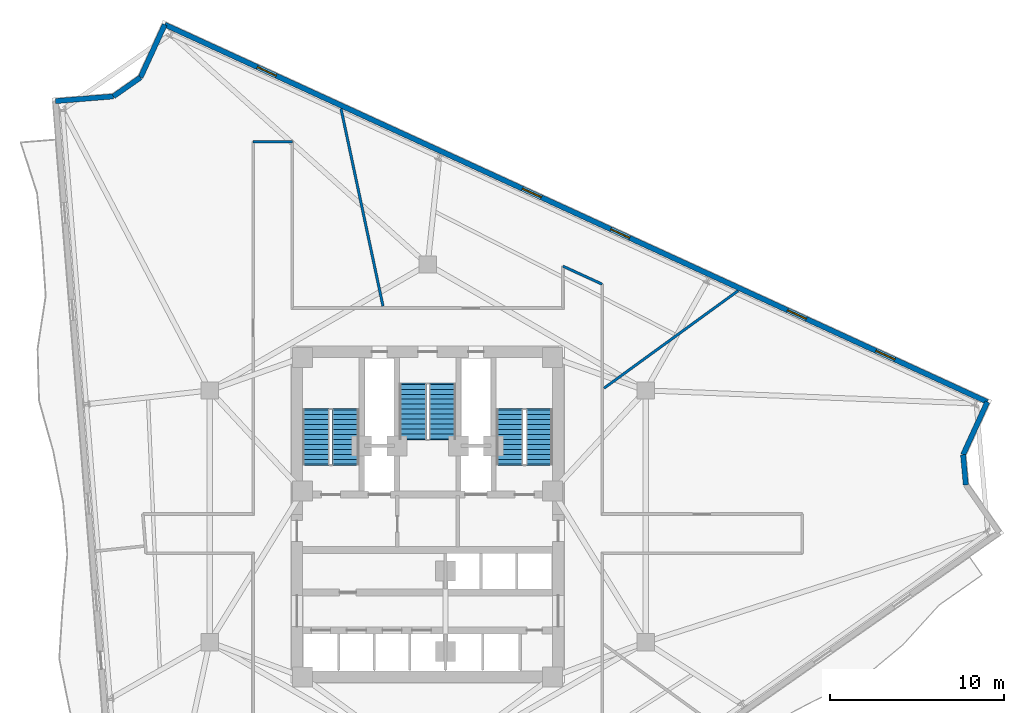
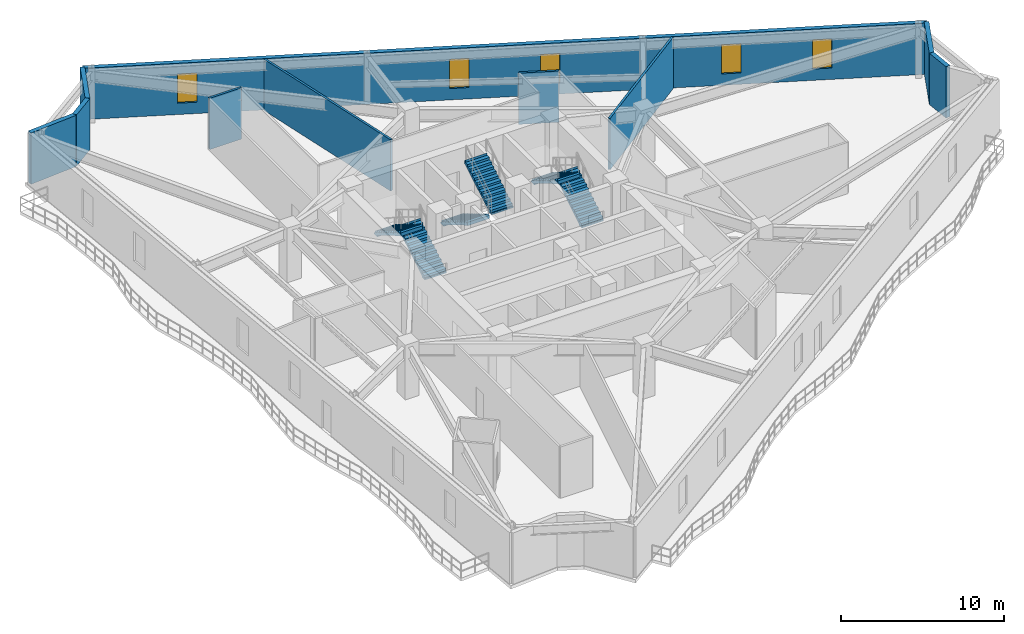
# One storey, part 7 of 10: 10 walls, 6 stair flights, 5 windows, 5 openings, 3 elements without a shape of their own.
"""IFC4 building model written with IfcOpenShell, lengths in metres."""

from ifc_helpers import new_model, si_unit, direction, frame, frame_2d, origin, place, context, subcontext, project, spatial, polyline, rectangle, outline, extrude, material, layer, layer_set, type_object, element, fill, aggregate, save


model = new_model("IFC4")

# Units and contexts
model_context = context("Model", 3, precision=1e-05, world=origin(), true_north=direction((0.0, 1.0)))
body_context = subcontext(model_context, "Body", "Model", "MODEL_VIEW")
ifc_project = project(units=[si_unit("LENGTHUNIT", "METRE"), si_unit("AREAUNIT", "SQUARE_METRE"), si_unit("VOLUMEUNIT", "CUBIC_METRE"), si_unit("PLANEANGLEUNIT", "RADIAN"), si_unit("MASSUNIT", "GRAM", prefix="KILO")], contexts=[model_context])

# Site, building, storey
site_placement = place(None, origin())
site = spatial("IfcSite", under=ifc_project, at=site_placement, CompositionType="ELEMENT")
building_placement = place(site_placement, origin())
building = spatial("IfcBuilding", under=site, at=building_placement, Name="Apsidion Concourse Tower", CompositionType="ELEMENT")
storey_placement = place(building_placement, frame((0.0, 0.0, 218.800048828125)))
storey = spatial("IfcBuildingStorey", under=building, at=storey_placement, Name="L51", CompositionType="ELEMENT", Elevation=218.800048828125)

# Wall, openings, windows
ifc_material_1 = material(Name="Precast concrete C40/50", Category="concrete")
ifc_layer_1 = layer(ifc_material_1, 0.300048828125)
ifc_layer_set_1 = layer_set([ifc_layer_1], Name="Precast concrete C40/50")
wall_type_1 = type_object("IfcWallType", Name="WL-EXT-300", PredefinedType="STANDARD", material=ifc_layer_set_1)
wall_1_placement = place(storey_placement, frame((-15.1435546875, 28.32177734375, 0.0), z_axis=(0.0, 0.0, 1.0), x_axis=(0.908932099953, -0.416944166136, 0.0)))
wall_1 = element("IfcWall", 1, at=wall_1_placement, inside=storey, type_object=wall_type_1, Name="L51 Precast Stone Facade Wall 01", PredefinedType="STANDARD", context=body_context, shape_type="SweptSolid", body=[
    extrude(rectangle(XDim=52.127685546875, YDim=0.300048828125, at=frame_2d((26.06396484375, 0.0))), origin(), (0.0, 0.0, 1.0), 3.849853515625),
])
opening_1_placement = place(wall_1_placement, frame((5.864013671875, 0.0, 0.85009765625)))
opening_1 = element("IfcOpeningElement", 2, at=opening_1_placement, cuts=wall_1, Name="Opening WN-06", PredefinedType="OPENING", context=body_context, shape_type="SweptSolid", body=[
    extrude(rectangle(XDim=1.199951171875, YDim=2.199951171875, at=frame_2d((0.60009765625, 1.10009765625))), frame((0.0, 0.16015625, 0.0), z_axis=(0.0, -1.0, 0.0), x_axis=(1.0, 0.0, 0.0)), (0.0, 0.0, 1.0), 0.320068359375),
])
opening_2_placement = place(wall_1_placement, frame((22.663818359375, 0.0, 0.85009765625)))
opening_2 = element("IfcOpeningElement", 3, at=opening_2_placement, cuts=wall_1, Name="Opening WN-06", PredefinedType="OPENING", context=body_context, shape_type="SweptSolid", body=[
    extrude(rectangle(XDim=1.199951171875, YDim=2.199951171875, at=frame_2d((0.60009765625, 1.10009765625))), frame((0.0, 0.16015625, 0.0), z_axis=(0.0, -1.0, 0.0), x_axis=(1.0, 0.0, 0.0)), (0.0, 0.0, 1.0), 0.320068359375),
])
opening_3_placement = place(wall_1_placement, frame((28.263916015625, 0.0, 0.85009765625)))
opening_3 = element("IfcOpeningElement", 4, at=opening_3_placement, cuts=wall_1, Name="Opening WN-06", PredefinedType="OPENING", context=body_context, shape_type="SweptSolid", body=[
    extrude(rectangle(XDim=1.199951171875, YDim=2.199951171875, at=frame_2d((0.60009765625, 1.10009765625))), frame((0.0, 0.16015625, 0.0), z_axis=(0.0, -1.0, 0.0), x_axis=(1.0, 0.0, 0.0)), (0.0, 0.0, 1.0), 0.320068359375),
])
opening_4_placement = place(wall_1_placement, frame((39.4638671875, 0.0, 0.85009765625)))
opening_4 = element("IfcOpeningElement", 5, at=opening_4_placement, cuts=wall_1, Name="Opening WN-06", PredefinedType="OPENING", context=body_context, shape_type="SweptSolid", body=[
    extrude(rectangle(XDim=1.199951171875, YDim=2.199951171875, at=frame_2d((0.60009765625, 1.10009765625))), frame((0.0, 0.16015625, 0.0), z_axis=(0.0, -1.0, 0.0), x_axis=(1.0, 0.0, 0.0)), (0.0, 0.0, 1.0), 0.320068359375),
])
opening_5_placement = place(wall_1_placement, frame((45.06396484375, 0.0, 0.85009765625)))
opening_5 = element("IfcOpeningElement", 6, at=opening_5_placement, cuts=wall_1, Name="Opening WN-06", PredefinedType="OPENING", context=body_context, shape_type="SweptSolid", body=[
    extrude(rectangle(XDim=1.199951171875, YDim=2.199951171875, at=frame_2d((0.60009765625, 1.10009765625))), frame((0.0, 0.16015625, 0.0), z_axis=(0.0, -1.0, 0.0), x_axis=(1.0, 0.0, 0.0)), (0.0, 0.0, 1.0), 0.320068359375),
])
ifc_material_2 = material(Name="Insulated laminated low-E glass", Category="glass")
window_type = type_object("IfcWindowType", Name="WN-OFF-1224", PartitioningType="SINGLE_PANEL", PredefinedType="WINDOW", material=ifc_material_2)
window_1_placement = place(opening_1_placement, origin())
window_1 = element("IfcWindow", 7, at=window_1_placement, inside=storey, type_object=window_type, Name="L51 Punched Facade Window 1-01", OverallHeight=2.199951171875, OverallWidth=1.199951171875, PartitioningType="SINGLE_PANEL", PredefinedType="WINDOW", context=body_context, shape_type="SweptSolid", body=[
    extrude(rectangle(XDim=1.199951171875, YDim=2.199951171875, at=frame_2d((0.60009765625, 1.10009765625))), frame((0.0, 0.030029296875, 0.0), z_axis=(0.0, -1.0, 0.0), x_axis=(1.0, 0.0, 0.0)), (0.0, 0.0, 1.0), 0.06005859375),
])
fill(opening_1, window_1)
window_2_placement = place(opening_2_placement, origin())
window_2 = element("IfcWindow", 8, at=window_2_placement, inside=storey, type_object=window_type, Name="L51 Punched Facade Window 1-04", OverallHeight=2.199951171875, OverallWidth=1.199951171875, PartitioningType="SINGLE_PANEL", PredefinedType="WINDOW", context=body_context, shape_type="SweptSolid", body=[
    extrude(rectangle(XDim=1.199951171875, YDim=2.199951171875, at=frame_2d((0.60009765625, 1.10009765625))), frame((0.0, 0.030029296875, 0.0), z_axis=(0.0, -1.0, 0.0), x_axis=(1.0, 0.0, 0.0)), (0.0, 0.0, 1.0), 0.06005859375),
])
fill(opening_2, window_2)
window_3_placement = place(opening_3_placement, origin())
window_3 = element("IfcWindow", 9, at=window_3_placement, inside=storey, type_object=window_type, Name="L51 Punched Facade Window 1-05", OverallHeight=2.199951171875, OverallWidth=1.199951171875, PartitioningType="SINGLE_PANEL", PredefinedType="WINDOW", context=body_context, shape_type="SweptSolid", body=[
    extrude(rectangle(XDim=1.199951171875, YDim=2.199951171875, at=frame_2d((0.60009765625, 1.10009765625))), frame((0.0, 0.030029296875, 0.0), z_axis=(0.0, -1.0, 0.0), x_axis=(1.0, 0.0, 0.0)), (0.0, 0.0, 1.0), 0.06005859375),
])
fill(opening_3, window_3)
window_4_placement = place(opening_4_placement, origin())
window_4 = element("IfcWindow", 10, at=window_4_placement, inside=storey, type_object=window_type, Name="L51 Punched Facade Window 1-07", OverallHeight=2.199951171875, OverallWidth=1.199951171875, PartitioningType="SINGLE_PANEL", PredefinedType="WINDOW", context=body_context, shape_type="SweptSolid", body=[
    extrude(rectangle(XDim=1.199951171875, YDim=2.199951171875, at=frame_2d((0.60009765625, 1.10009765625))), frame((0.0, 0.030029296875, 0.0), z_axis=(0.0, -1.0, 0.0), x_axis=(1.0, 0.0, 0.0)), (0.0, 0.0, 1.0), 0.06005859375),
])
fill(opening_4, window_4)
window_5_placement = place(opening_5_placement, origin())
window_5 = element("IfcWindow", 11, at=window_5_placement, inside=storey, type_object=window_type, Name="L51 Punched Facade Window 1-08", OverallHeight=2.199951171875, OverallWidth=1.199951171875, PartitioningType="SINGLE_PANEL", PredefinedType="WINDOW", context=body_context, shape_type="SweptSolid", body=[
    extrude(rectangle(XDim=1.199951171875, YDim=2.199951171875, at=frame_2d((0.60009765625, 1.10009765625))), frame((0.0, 0.030029296875, 0.0), z_axis=(0.0, -1.0, 0.0), x_axis=(1.0, 0.0, 0.0)), (0.0, 0.0, 1.0), 0.06005859375),
])
fill(opening_5, window_5)

# Walls
wall_2_placement = place(storey_placement, frame((32.237060546875, 6.58740234375, 0.0), z_axis=(0.0, 0.0, 1.0), x_axis=(-0.416956203263, -0.908926578201, 0.0)))
element("IfcWall", 12, at=wall_2_placement, inside=storey, type_object=wall_type_1, Name="L51 Precast Stone Facade Wall 02", PredefinedType="STANDARD", context=body_context, shape_type="SweptSolid", body=[
    extrude(rectangle(XDim=3.345703125, YDim=0.300048828125, at=frame_2d((1.6728515625, 0.0))), origin(), (0.0, 0.0, 1.0), 3.849853515625),
])
wall_3_placement = place(storey_placement, frame((30.842041015625, 3.54638671875, 0.0), z_axis=(0.0, 0.0, 1.0), x_axis=(0.09030850916, -0.995913838228, 0.0)))
element("IfcWall", 13, at=wall_3_placement, inside=storey, type_object=wall_type_1, Name="L51 Precast Stone Facade Wall 03", PredefinedType="STANDARD", context=body_context, shape_type="SweptSolid", body=[
    extrude(rectangle(XDim=1.74365234375, YDim=0.300048828125, at=frame_2d((0.871826171875, 0.0))), origin(), (0.0, 0.0, 1.0), 3.849853515625),
])
wall_4_placement = place(storey_placement, frame((-21.4345703125, 23.9169921875, 0.0), z_axis=(0.0, 0.0, 1.0), x_axis=(0.99672253381, 0.080896171692, 0.0)))
element("IfcWall", 14, at=wall_4_placement, inside=storey, type_object=wall_type_1, Name="L51 Precast Stone Facade Wall 10", PredefinedType="STANDARD", context=body_context, shape_type="SweptSolid", body=[
    extrude(rectangle(XDim=3.346923828125, YDim=0.300048828125, at=frame_2d((1.67333984375, 0.0))), origin(), (0.0, 0.0, 1.0), 3.849853515625),
])
wall_5_placement = place(storey_placement, frame((-18.0986328125, 24.187744140625, 0.0), z_axis=(0.0, 0.0, 1.0), x_axis=(0.819147570989, 0.573582824833, 0.0)))
element("IfcWall", 15, at=wall_5_placement, inside=storey, type_object=wall_type_1, Name="L51 Precast Stone Facade Wall 11", PredefinedType="STANDARD", context=body_context, shape_type="SweptSolid", body=[
    extrude(rectangle(XDim=1.90380859375, YDim=0.300048828125, at=frame_2d((0.951904296875, 0.0))), origin(), (0.0, 0.0, 1.0), 3.849853515625),
])
wall_6_placement = place(storey_placement, frame((-16.5390625, 25.27978515625, 0.0), z_axis=(0.0, 0.0, 1.0), x_axis=(0.416966150663, 0.908922014917, 0.0)))
element("IfcWall", 16, at=wall_6_placement, inside=storey, type_object=wall_type_1, Name="L51 Precast Stone Facade Wall 12", PredefinedType="STANDARD", context=body_context, shape_type="SweptSolid", body=[
    extrude(rectangle(XDim=3.346923828125, YDim=0.300048828125, at=frame_2d((1.67333984375, 0.0))), origin(), (0.0, 0.0, 1.0), 3.849853515625),
])
ifc_material_3 = material(Name="Gypsum plasterboard partition")
ifc_layer_2 = layer(ifc_material_3, 0.14990234375)
ifc_layer_set_2 = layer_set([ifc_layer_2], Name="Gypsum plasterboard partition")
wall_type_2 = type_object("IfcWallType", Name="WL-INT-PAR-150", PredefinedType="PARTITIONING", material=ifc_layer_set_2)
wall_7_placement = place(storey_placement, frame((-10.050048828125, 21.580078125, 0.0), z_axis=(0.0, 0.0, 1.0), x_axis=(1.0, 0.0, 0.0)))
element("IfcWall", 17, at=wall_7_placement, inside=storey, type_object=wall_type_2, Name="L51 Interior Partition WL-L51-CORR-11", PredefinedType="PARTITIONING", context=body_context, shape_type="SweptSolid", body=[
    extrude(rectangle(XDim=2.260009765625, YDim=0.14990234375, at=frame_2d((1.1298828125, 0.0))), origin(), (0.0, 0.0, 1.0), 3.849853515625),
])
wall_8_placement = place(storey_placement, frame((7.7900390625, 14.40771484375, 0.0), z_axis=(0.0, 0.0, 1.0), x_axis=(0.908908252736, -0.416996148792, 0.0)))
element("IfcWall", 18, at=wall_8_placement, inside=storey, type_object=wall_type_2, Name="L51 Interior Partition WL-L51-CORR-15", PredefinedType="PARTITIONING", context=body_context, shape_type="SweptSolid", body=[
    extrude(rectangle(XDim=2.486572265625, YDim=0.14990234375, at=frame_2d((1.2431640625, 0.0))), origin(), (0.0, 0.0, 1.0), 3.849853515625),
])
wall_9_placement = place(storey_placement, frame((10.155029296875, 7.3779296875, 0.0), z_axis=(0.0, 0.0, 1.0), x_axis=(0.809018998298, 0.587782494119, 0.0)))
element("IfcWall", 19, at=wall_9_placement, inside=storey, type_object=wall_type_2, Name="L51 Interior Partition WL-L51-RAD-01-1", PredefinedType="PARTITIONING", context=body_context, shape_type="SweptSolid", body=[
    extrude(rectangle(XDim=9.550048828125, YDim=0.14990234375, at=frame_2d((4.77490234375, 0.0))), origin(), (0.0, 0.0, 1.0), 3.849853515625),
])
wall_10_placement = place(storey_placement, frame((-2.572998046875, 12.10498046875, 0.0), z_axis=(0.0, 0.0, 1.0), x_axis=(-0.207903435497, 0.97814935542, 0.0)))
element("IfcWall", 20, at=wall_10_placement, inside=storey, type_object=wall_type_2, Name="L51 Interior Partition WL-L51-RAD-02-1", PredefinedType="PARTITIONING", context=body_context, shape_type="SweptSolid", body=[
    extrude(rectangle(XDim=11.632568359375, YDim=0.14990234375, at=frame_2d((5.81640625, 0.0))), origin(), (0.0, 0.0, 1.0), 3.849853515625),
])

# Stair, stair flights
stair_type = type_object("IfcStairType", Name="ST-DL-1550", PredefinedType="HALF_TURN_STAIR", material=ifc_material_1)
stair_1_placement = place(storey_placement, origin())
stair_1 = element("IfcStair", 21, at=stair_1_placement, inside=storey, type_object=stair_type, Name="L51 Protected Core Exit Stair ST1", PredefinedType="HALF_TURN_STAIR")
stair_flight_type = type_object("IfcStairFlightType", Name="SFL-RC-1550", PredefinedType="STRAIGHT", material=ifc_material_1)
stair_flight_1_placement = place(storey_placement, frame((-4.72509765625, 3.0, 0.0), z_axis=(0.0, 0.0, 1.0), x_axis=(0.0, 1.0, 0.0)))
stair_flight_1 = element("IfcStairFlight", 22, at=stair_flight_1_placement, type_object=stair_flight_type, Name="ST1 flight 1", NumberOfRisers=12, NumberOfTreads=11, PredefinedType="STRAIGHT", RiserHeight=0.170833333, TreadLength=0.285, context=body_context, shape_type="SweptSolid", body=[
    extrude(outline(polyline([(-0.080078125, -0.1123046875), (-0.080078125, 0.0), (0.0, 0.0), (0.0, 0.1708984375), (0.284912109375, 0.1708984375), (0.284912109375, 0.341552734375), (0.570068359375, 0.341552734375), (0.570068359375, 0.512451171875), (0.85498046875, 0.512451171875), (0.85498046875, 0.683349609375), (1.139892578125, 0.683349609375), (1.139892578125, 0.854248046875), (1.425048828125, 0.854248046875), (1.425048828125, 1.02490234375), (1.7099609375, 1.02490234375), (1.7099609375, 1.19580078125), (1.9951171875, 1.19580078125), (1.9951171875, 1.36669921875), (2.280029296875, 1.36669921875), (2.280029296875, 1.53759765625), (2.56494140625, 1.53759765625), (2.56494140625, 1.708251953125), (2.85009765625, 1.708251953125), (2.85009765625, 1.879150390625), (3.135009765625, 1.879150390625), (3.135009765625, 2.050048828125), (3.215087890625, 1.964599609375), (3.215087890625, 1.704345703125), (3.135009765625, 1.704345703125), (0.29150390625, 0.0), (0.29150390625, -0.1123046875), (-0.080078125, -0.1123046875)])), frame((0.0, 0.77490234375, 0.0), z_axis=(0.0, -1.0, 0.0), x_axis=(1.0, 0.0, 0.0)), (0.0, 0.0, 1.0), 1.550048828125),
])
stair_flight_2_placement = place(storey_placement, frame((-6.425048828125, 6.135009765625, 2.050048828125), z_axis=(0.0, 0.0, 1.0), x_axis=(0.0, -1.0, 0.0)))
stair_flight_2 = element("IfcStairFlight", 23, at=stair_flight_2_placement, type_object=stair_flight_type, Name="ST1 flight 2", NumberOfRisers=12, NumberOfTreads=11, PredefinedType="STRAIGHT", RiserHeight=0.170833333, TreadLength=0.285, context=body_context, shape_type="SweptSolid", body=[
    extrude(outline(polyline([(-0.080078125, -0.1123046875), (-0.080078125, 0.0), (0.0, 0.0), (0.0, 0.1708984375), (0.284912109375, 0.1708984375), (0.284912109375, 0.341552734375), (0.570068359375, 0.341552734375), (0.570068359375, 0.512451171875), (0.85498046875, 0.512451171875), (0.85498046875, 0.683349609375), (1.139892578125, 0.683349609375), (1.139892578125, 0.854248046875), (1.425048828125, 0.854248046875), (1.425048828125, 1.02490234375), (1.7099609375, 1.02490234375), (1.7099609375, 1.19580078125), (1.9951171875, 1.19580078125), (1.9951171875, 1.36669921875), (2.280029296875, 1.36669921875), (2.280029296875, 1.53759765625), (2.56494140625, 1.53759765625), (2.56494140625, 1.708251953125), (2.85009765625, 1.708251953125), (2.85009765625, 1.879150390625), (3.135009765625, 1.879150390625), (3.135009765625, 2.050048828125), (3.215087890625, 1.964599609375), (3.215087890625, 1.704345703125), (3.135009765625, 1.704345703125), (0.29150390625, 0.0), (0.29150390625, -0.1123046875), (-0.080078125, -0.1123046875)])), frame((0.0, 0.77490234375, 0.0), z_axis=(0.0, -1.0, 0.0), x_axis=(1.0, 0.0, 0.0)), (0.0, 0.0, 1.0), 1.550048828125),
])
aggregate(stair_1, [stair_flight_1, stair_flight_2])

stair_2_placement = place(storey_placement, origin())
stair_2 = element("IfcStair", 24, at=stair_2_placement, inside=storey, type_object=stair_type, Name="L51 Protected Core Exit Stair ST2", PredefinedType="HALF_TURN_STAIR")
stair_flight_3_placement = place(storey_placement, frame((6.425048828125, 3.0, 0.0), z_axis=(0.0, 0.0, 1.0), x_axis=(0.0, 1.0, 0.0)))
stair_flight_3 = element("IfcStairFlight", 25, at=stair_flight_3_placement, type_object=stair_flight_type, Name="ST2 flight 1", NumberOfRisers=12, NumberOfTreads=11, PredefinedType="STRAIGHT", RiserHeight=0.170833333, TreadLength=0.285, context=body_context, shape_type="SweptSolid", body=[
    extrude(outline(polyline([(-0.080078125, -0.1123046875), (-0.080078125, 0.0), (0.0, 0.0), (0.0, 0.1708984375), (0.284912109375, 0.1708984375), (0.284912109375, 0.341552734375), (0.570068359375, 0.341552734375), (0.570068359375, 0.512451171875), (0.85498046875, 0.512451171875), (0.85498046875, 0.683349609375), (1.139892578125, 0.683349609375), (1.139892578125, 0.854248046875), (1.425048828125, 0.854248046875), (1.425048828125, 1.02490234375), (1.7099609375, 1.02490234375), (1.7099609375, 1.19580078125), (1.9951171875, 1.19580078125), (1.9951171875, 1.36669921875), (2.280029296875, 1.36669921875), (2.280029296875, 1.53759765625), (2.56494140625, 1.53759765625), (2.56494140625, 1.708251953125), (2.85009765625, 1.708251953125), (2.85009765625, 1.879150390625), (3.135009765625, 1.879150390625), (3.135009765625, 2.050048828125), (3.215087890625, 1.964599609375), (3.215087890625, 1.704345703125), (3.135009765625, 1.704345703125), (0.29150390625, 0.0), (0.29150390625, -0.1123046875), (-0.080078125, -0.1123046875)])), frame((0.0, 0.77490234375, 0.0), z_axis=(0.0, -1.0, 0.0), x_axis=(1.0, 0.0, 0.0)), (0.0, 0.0, 1.0), 1.550048828125),
])
stair_flight_4_placement = place(storey_placement, frame((4.72509765625, 6.135009765625, 2.050048828125), z_axis=(0.0, 0.0, 1.0), x_axis=(0.0, -1.0, 0.0)))
stair_flight_4 = element("IfcStairFlight", 26, at=stair_flight_4_placement, type_object=stair_flight_type, Name="ST2 flight 2", NumberOfRisers=12, NumberOfTreads=11, PredefinedType="STRAIGHT", RiserHeight=0.170833333, TreadLength=0.285, context=body_context, shape_type="SweptSolid", body=[
    extrude(outline(polyline([(-0.080078125, -0.1123046875), (-0.080078125, 0.0), (0.0, 0.0), (0.0, 0.1708984375), (0.284912109375, 0.1708984375), (0.284912109375, 0.341552734375), (0.570068359375, 0.341552734375), (0.570068359375, 0.512451171875), (0.85498046875, 0.512451171875), (0.85498046875, 0.683349609375), (1.139892578125, 0.683349609375), (1.139892578125, 0.854248046875), (1.425048828125, 0.854248046875), (1.425048828125, 1.02490234375), (1.7099609375, 1.02490234375), (1.7099609375, 1.19580078125), (1.9951171875, 1.19580078125), (1.9951171875, 1.36669921875), (2.280029296875, 1.36669921875), (2.280029296875, 1.53759765625), (2.56494140625, 1.53759765625), (2.56494140625, 1.708251953125), (2.85009765625, 1.708251953125), (2.85009765625, 1.879150390625), (3.135009765625, 1.879150390625), (3.135009765625, 2.050048828125), (3.215087890625, 1.964599609375), (3.215087890625, 1.704345703125), (3.135009765625, 1.704345703125), (0.29150390625, 0.0), (0.29150390625, -0.1123046875), (-0.080078125, -0.1123046875)])), frame((0.0, 0.77490234375, 0.0), z_axis=(0.0, -1.0, 0.0), x_axis=(1.0, 0.0, 0.0)), (0.0, 0.0, 1.0), 1.550048828125),
])
aggregate(stair_2, [stair_flight_3, stair_flight_4])

stair_3_placement = place(storey_placement, origin())
stair_3 = element("IfcStair", 27, at=stair_3_placement, inside=storey, type_object=stair_type, Name="L51 Protected Core Exit Stair ST3", PredefinedType="HALF_TURN_STAIR")
stair_flight_5_placement = place(storey_placement, frame((-0.85009765625, 7.60009765625, 0.0), z_axis=(0.0, 0.0, 1.0), x_axis=(0.0, -1.0, 0.0)))
stair_flight_5 = element("IfcStairFlight", 28, at=stair_flight_5_placement, type_object=stair_flight_type, Name="ST3 flight 1", NumberOfRisers=12, NumberOfTreads=11, PredefinedType="STRAIGHT", RiserHeight=0.170833333, TreadLength=0.285, context=body_context, shape_type="SweptSolid", body=[
    extrude(outline(polyline([(-0.080078125, -0.1123046875), (-0.080078125, 0.0), (0.0, 0.0), (0.0, 0.1708984375), (0.284912109375, 0.1708984375), (0.284912109375, 0.341552734375), (0.570068359375, 0.341552734375), (0.570068359375, 0.512451171875), (0.85498046875, 0.512451171875), (0.85498046875, 0.683349609375), (1.139892578125, 0.683349609375), (1.139892578125, 0.854248046875), (1.425048828125, 0.854248046875), (1.425048828125, 1.02490234375), (1.7099609375, 1.02490234375), (1.7099609375, 1.19580078125), (1.9951171875, 1.19580078125), (1.9951171875, 1.36669921875), (2.280029296875, 1.36669921875), (2.280029296875, 1.53759765625), (2.56494140625, 1.53759765625), (2.56494140625, 1.708251953125), (2.85009765625, 1.708251953125), (2.85009765625, 1.879150390625), (3.135009765625, 1.879150390625), (3.135009765625, 2.050048828125), (3.215087890625, 1.964599609375), (3.215087890625, 1.704345703125), (3.135009765625, 1.704345703125), (0.29150390625, 0.0), (0.29150390625, -0.1123046875), (-0.080078125, -0.1123046875)])), frame((0.0, 0.77490234375, 0.0), z_axis=(0.0, -1.0, 0.0), x_axis=(1.0, 0.0, 0.0)), (0.0, 0.0, 1.0), 1.550048828125),
])
stair_flight_6_placement = place(storey_placement, frame((0.85009765625, 4.465087890625, 2.050048828125), z_axis=(0.0, 0.0, 1.0), x_axis=(0.0, 1.0, 0.0)))
stair_flight_6 = element("IfcStairFlight", 29, at=stair_flight_6_placement, type_object=stair_flight_type, Name="ST3 flight 2", NumberOfRisers=12, NumberOfTreads=11, PredefinedType="STRAIGHT", RiserHeight=0.170833333, TreadLength=0.285, context=body_context, shape_type="SweptSolid", body=[
    extrude(outline(polyline([(-0.080078125, -0.1123046875), (-0.080078125, 0.0), (0.0, 0.0), (0.0, 0.1708984375), (0.284912109375, 0.1708984375), (0.284912109375, 0.341552734375), (0.570068359375, 0.341552734375), (0.570068359375, 0.512451171875), (0.85498046875, 0.512451171875), (0.85498046875, 0.683349609375), (1.139892578125, 0.683349609375), (1.139892578125, 0.854248046875), (1.425048828125, 0.854248046875), (1.425048828125, 1.02490234375), (1.7099609375, 1.02490234375), (1.7099609375, 1.19580078125), (1.9951171875, 1.19580078125), (1.9951171875, 1.36669921875), (2.280029296875, 1.36669921875), (2.280029296875, 1.53759765625), (2.56494140625, 1.53759765625), (2.56494140625, 1.708251953125), (2.85009765625, 1.708251953125), (2.85009765625, 1.879150390625), (3.135009765625, 1.879150390625), (3.135009765625, 2.050048828125), (3.215087890625, 1.964599609375), (3.215087890625, 1.704345703125), (3.135009765625, 1.704345703125), (0.29150390625, 0.0), (0.29150390625, -0.1123046875), (-0.080078125, -0.1123046875)])), frame((0.0, 0.77490234375, 0.0), z_axis=(0.0, -1.0, 0.0), x_axis=(1.0, 0.0, 0.0)), (0.0, 0.0, 1.0), 1.550048828125),
])
aggregate(stair_3, [stair_flight_5, stair_flight_6])

save(model, "model.ifc")
